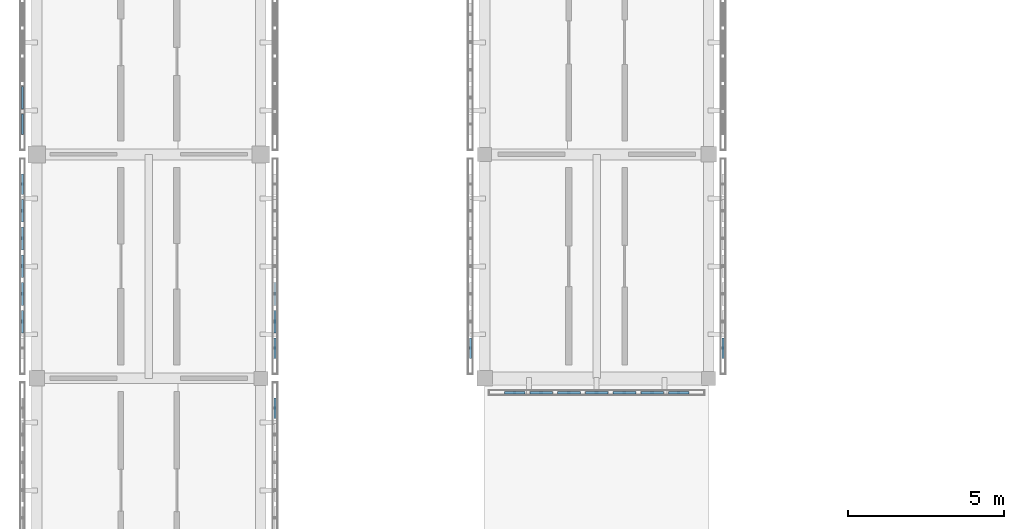
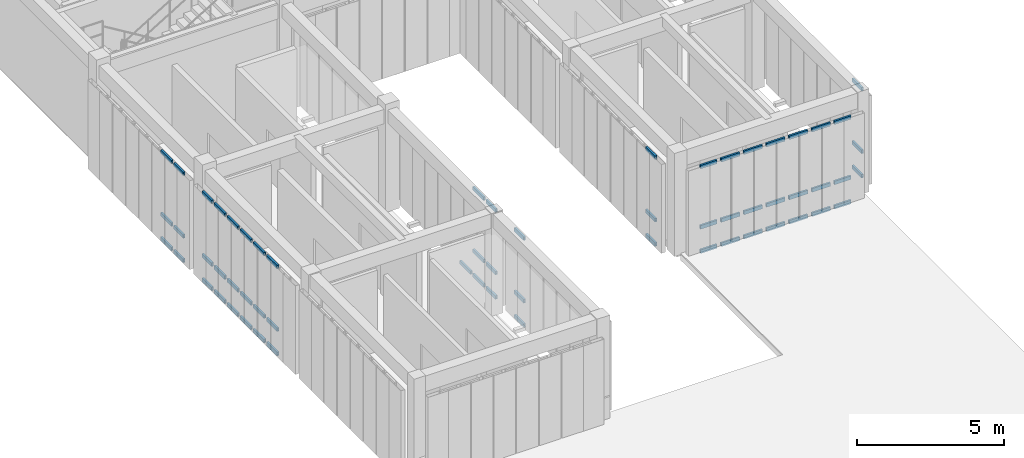
# One storey, part 17 of 91: 61 members, 7 elements without a shape of their own.
"""IFC4 building model written with IfcOpenShell, lengths in metres."""

from ifc_helpers import new_model, si_unit, direction, frame, origin, origin_2d, place, context, subcontext, project, spatial, hollow_rectangle, extrude, material, material_profile, profile_set, type_object, element, aggregate, save


model = new_model("IFC4")

# Units and contexts
model_context = context("Model", 3, precision=1e-05, world=origin(), true_north=direction((0.0, 1.0)))
body_context = subcontext(model_context, "Body", "Model", "MODEL_VIEW")
ifc_project = project(units=[si_unit("LENGTHUNIT", "METRE"), si_unit("AREAUNIT", "SQUARE_METRE"), si_unit("VOLUMEUNIT", "CUBIC_METRE"), si_unit("PLANEANGLEUNIT", "RADIAN"), si_unit("MASSUNIT", "GRAM", prefix="KILO")], contexts=[model_context])

# Site, building, storey
site_placement = place(None, origin())
site = spatial("IfcSite", under=ifc_project, at=site_placement, CompositionType="ELEMENT")
building_placement = place(site_placement, origin())
building = spatial("IfcBuilding", under=site, at=building_placement, Name="Aldebral Square Health Centre", CompositionType="ELEMENT")
storey_placement = place(building_placement, frame((0.0, 0.0, 9.0)))
storey = spatial("IfcBuildingStorey", under=building, at=storey_placement, Name="L02", CompositionType="ELEMENT", Elevation=9.0)

# Curtain wall, members
ifc_material_1 = material(Name="Aluminium and low-E solar glass", Category="aluminium")
curtain_wall_type = type_object("IfcCurtainWallType", Name="CW-FIN-SYS", PredefinedType="USERDEFINED", material=ifc_material_1)
curtain_wall_1_placement = place(storey_placement, origin())
curtain_wall_1 = element("IfcCurtainWall", 1, at=curtain_wall_1_placement, inside=storey, type_object=curtain_wall_type, Name="L02 V6 finned curtain wall L02-V6-00-01-E", ObjectType="SOLAR_CURTAIN_WALL", PredefinedType="USERDEFINED")
ifc_material_2 = material(Name="Anodised aluminium transom", Category="aluminium")
ifc_material_profile = material_profile(ifc_material_2, hollow_rectangle(XDim=0.074951171875, YDim=0.14990234375, WallThickness=0.00390625, at=origin_2d()), Name="CWT 75x150x4")
ifc_profile_set = profile_set([ifc_material_profile], Name="Anodised aluminium transom")
member_type = type_object("IfcMemberType", Name="CWT-STD", PredefinedType="USERDEFINED", material=ifc_profile_set)
member_1_placement = place(storey_placement, frame((7.659912109375, 13.108642578125, 0.03759765625), z_axis=(0.0, 1.0, 0.0), x_axis=(-1.0, 0.0, 0.0)))
member_1 = element("IfcMember", 2, at=member_1_placement, type_object=member_type, Name="CW1 transom 7.1", ObjectType="TRANSOM", PredefinedType="USERDEFINED", context=body_context, shape_type="SweptSolid", body=[
    extrude(hollow_rectangle(XDim=0.074951171875, YDim=0.14990234375, WallThickness=0.00390625, at=origin_2d()), origin(), (0.0, 0.0, 1.0), 0.6513671875),
])
member_2_placement = place(storey_placement, frame((7.659912109375, 13.108642578125, 1.050048828125), z_axis=(0.0, 1.0, 0.0), x_axis=(-1.0, 0.0, 0.0)))
member_2 = element("IfcMember", 3, at=member_2_placement, type_object=member_type, Name="CW1 transom 7.2", ObjectType="TRANSOM", PredefinedType="USERDEFINED", context=body_context, shape_type="SweptSolid", body=[
    extrude(hollow_rectangle(XDim=0.074951171875, YDim=0.14990234375, WallThickness=0.00390625, at=origin_2d()), origin(), (0.0, 0.0, 1.0), 0.6513671875),
])
member_3_placement = place(storey_placement, frame((7.659912109375, 13.108642578125, 3.652587890625), z_axis=(0.0, 1.0, 0.0), x_axis=(-1.0, 0.0, 0.0)))
member_3 = element("IfcMember", 4, at=member_3_placement, type_object=member_type, Name="CW1 transom 7.3", ObjectType="TRANSOM", PredefinedType="USERDEFINED", context=body_context, shape_type="SweptSolid", body=[
    extrude(hollow_rectangle(XDim=0.074951171875, YDim=0.14990234375, WallThickness=0.00390625, at=origin_2d()), origin(), (0.0, 0.0, 1.0), 0.6513671875),
])
aggregate(curtain_wall_1, [member_1, member_2, member_3])

curtain_wall_2_placement = place(storey_placement, origin())
curtain_wall_2 = element("IfcCurtainWall", 5, at=curtain_wall_2_placement, inside=storey, type_object=curtain_wall_type, Name="L02 V6 finned curtain wall L02-V6-00-02-W", ObjectType="SOLAR_CURTAIN_WALL", PredefinedType="USERDEFINED")
member_4_placement = place(storey_placement, frame((-0.4599609375, 20.9599609375, 0.03759765625), z_axis=(0.0, -1.0, 0.0), x_axis=(1.0, 0.0, 0.0)))
member_4 = element("IfcMember", 6, at=member_4_placement, type_object=member_type, Name="CW1 transom 1.1", ObjectType="TRANSOM", PredefinedType="USERDEFINED", context=body_context, shape_type="SweptSolid", body=[
    extrude(hollow_rectangle(XDim=0.074951171875, YDim=0.14990234375, WallThickness=0.00390625, at=origin_2d()), origin(), (0.0, 0.0, 1.0), 0.6513671875),
])
member_5_placement = place(storey_placement, frame((-0.4599609375, 20.9599609375, 1.050048828125), z_axis=(0.0, -1.0, 0.0), x_axis=(1.0, 0.0, 0.0)))
member_5 = element("IfcMember", 7, at=member_5_placement, type_object=member_type, Name="CW1 transom 1.2", ObjectType="TRANSOM", PredefinedType="USERDEFINED", context=body_context, shape_type="SweptSolid", body=[
    extrude(hollow_rectangle(XDim=0.074951171875, YDim=0.14990234375, WallThickness=0.00390625, at=origin_2d()), origin(), (0.0, 0.0, 1.0), 0.6513671875),
])
member_6_placement = place(storey_placement, frame((-0.4599609375, 20.9599609375, 3.652587890625), z_axis=(0.0, -1.0, 0.0), x_axis=(1.0, 0.0, 0.0)))
member_6 = element("IfcMember", 8, at=member_6_placement, type_object=member_type, Name="CW1 transom 1.3", ObjectType="TRANSOM", PredefinedType="USERDEFINED", context=body_context, shape_type="SweptSolid", body=[
    extrude(hollow_rectangle(XDim=0.074951171875, YDim=0.14990234375, WallThickness=0.00390625, at=origin_2d()), origin(), (0.0, 0.0, 1.0), 0.6513671875),
])
member_7_placement = place(storey_placement, frame((-0.4599609375, 20.148681640625, 0.03759765625), z_axis=(0.0, -1.0, 0.0), x_axis=(1.0, 0.0, 0.0)))
member_7 = element("IfcMember", 9, at=member_7_placement, type_object=member_type, Name="CW1 transom 2.1", ObjectType="TRANSOM", PredefinedType="USERDEFINED", context=body_context, shape_type="SweptSolid", body=[
    extrude(hollow_rectangle(XDim=0.074951171875, YDim=0.14990234375, WallThickness=0.00390625, at=origin_2d()), origin(), (0.0, 0.0, 1.0), 0.7314453125),
])
member_8_placement = place(storey_placement, frame((-0.4599609375, 20.148681640625, 1.050048828125), z_axis=(0.0, -1.0, 0.0), x_axis=(1.0, 0.0, 0.0)))
member_8 = element("IfcMember", 10, at=member_8_placement, type_object=member_type, Name="CW1 transom 2.2", ObjectType="TRANSOM", PredefinedType="USERDEFINED", context=body_context, shape_type="SweptSolid", body=[
    extrude(hollow_rectangle(XDim=0.074951171875, YDim=0.14990234375, WallThickness=0.00390625, at=origin_2d()), origin(), (0.0, 0.0, 1.0), 0.7314453125),
])
member_9_placement = place(storey_placement, frame((-0.4599609375, 20.148681640625, 3.652587890625), z_axis=(0.0, -1.0, 0.0), x_axis=(1.0, 0.0, 0.0)))
member_9 = element("IfcMember", 11, at=member_9_placement, type_object=member_type, Name="CW1 transom 2.3", ObjectType="TRANSOM", PredefinedType="USERDEFINED", context=body_context, shape_type="SweptSolid", body=[
    extrude(hollow_rectangle(XDim=0.074951171875, YDim=0.14990234375, WallThickness=0.00390625, at=origin_2d()), origin(), (0.0, 0.0, 1.0), 0.7314453125),
])
member_10_placement = place(storey_placement, frame((-0.4599609375, 19.257080078125, 0.03759765625), z_axis=(0.0, -1.0, 0.0), x_axis=(1.0, 0.0, 0.0)))
member_10 = element("IfcMember", 12, at=member_10_placement, type_object=member_type, Name="CW1 transom 3.1", ObjectType="TRANSOM", PredefinedType="USERDEFINED", context=body_context, shape_type="SweptSolid", body=[
    extrude(hollow_rectangle(XDim=0.074951171875, YDim=0.14990234375, WallThickness=0.00390625, at=origin_2d()), origin(), (0.0, 0.0, 1.0), 0.7314453125),
])
member_11_placement = place(storey_placement, frame((-0.4599609375, 19.257080078125, 1.050048828125), z_axis=(0.0, -1.0, 0.0), x_axis=(1.0, 0.0, 0.0)))
member_11 = element("IfcMember", 13, at=member_11_placement, type_object=member_type, Name="CW1 transom 3.2", ObjectType="TRANSOM", PredefinedType="USERDEFINED", context=body_context, shape_type="SweptSolid", body=[
    extrude(hollow_rectangle(XDim=0.074951171875, YDim=0.14990234375, WallThickness=0.00390625, at=origin_2d()), origin(), (0.0, 0.0, 1.0), 0.7314453125),
])
member_12_placement = place(storey_placement, frame((-0.4599609375, 19.257080078125, 3.652587890625), z_axis=(0.0, -1.0, 0.0), x_axis=(1.0, 0.0, 0.0)))
member_12 = element("IfcMember", 14, at=member_12_placement, type_object=member_type, Name="CW1 transom 3.3", ObjectType="TRANSOM", PredefinedType="USERDEFINED", context=body_context, shape_type="SweptSolid", body=[
    extrude(hollow_rectangle(XDim=0.074951171875, YDim=0.14990234375, WallThickness=0.00390625, at=origin_2d()), origin(), (0.0, 0.0, 1.0), 0.7314453125),
])
member_13_placement = place(storey_placement, frame((-0.4599609375, 18.36572265625, 0.03759765625), z_axis=(0.0, -1.0, 0.0), x_axis=(1.0, 0.0, 0.0)))
member_13 = element("IfcMember", 15, at=member_13_placement, type_object=member_type, Name="CW1 transom 4.1", ObjectType="TRANSOM", PredefinedType="USERDEFINED", context=body_context, shape_type="SweptSolid", body=[
    extrude(hollow_rectangle(XDim=0.074951171875, YDim=0.14990234375, WallThickness=0.00390625, at=origin_2d()), origin(), (0.0, 0.0, 1.0), 0.7314453125),
])
member_14_placement = place(storey_placement, frame((-0.4599609375, 18.36572265625, 1.050048828125), z_axis=(0.0, -1.0, 0.0), x_axis=(1.0, 0.0, 0.0)))
member_14 = element("IfcMember", 16, at=member_14_placement, type_object=member_type, Name="CW1 transom 4.2", ObjectType="TRANSOM", PredefinedType="USERDEFINED", context=body_context, shape_type="SweptSolid", body=[
    extrude(hollow_rectangle(XDim=0.074951171875, YDim=0.14990234375, WallThickness=0.00390625, at=origin_2d()), origin(), (0.0, 0.0, 1.0), 0.7314453125),
])
member_15_placement = place(storey_placement, frame((-0.4599609375, 18.36572265625, 3.652587890625), z_axis=(0.0, -1.0, 0.0), x_axis=(1.0, 0.0, 0.0)))
member_15 = element("IfcMember", 17, at=member_15_placement, type_object=member_type, Name="CW1 transom 4.3", ObjectType="TRANSOM", PredefinedType="USERDEFINED", context=body_context, shape_type="SweptSolid", body=[
    extrude(hollow_rectangle(XDim=0.074951171875, YDim=0.14990234375, WallThickness=0.00390625, at=origin_2d()), origin(), (0.0, 0.0, 1.0), 0.7314453125),
])
member_16_placement = place(storey_placement, frame((-0.4599609375, 17.474365234375, 0.03759765625), z_axis=(0.0, -1.0, 0.0), x_axis=(1.0, 0.0, 0.0)))
member_16 = element("IfcMember", 18, at=member_16_placement, type_object=member_type, Name="CW1 transom 5.1", ObjectType="TRANSOM", PredefinedType="USERDEFINED", context=body_context, shape_type="SweptSolid", body=[
    extrude(hollow_rectangle(XDim=0.074951171875, YDim=0.14990234375, WallThickness=0.00390625, at=origin_2d()), origin(), (0.0, 0.0, 1.0), 0.7314453125),
])
member_17_placement = place(storey_placement, frame((-0.4599609375, 17.474365234375, 1.050048828125), z_axis=(0.0, -1.0, 0.0), x_axis=(1.0, 0.0, 0.0)))
member_17 = element("IfcMember", 19, at=member_17_placement, type_object=member_type, Name="CW1 transom 5.2", ObjectType="TRANSOM", PredefinedType="USERDEFINED", context=body_context, shape_type="SweptSolid", body=[
    extrude(hollow_rectangle(XDim=0.074951171875, YDim=0.14990234375, WallThickness=0.00390625, at=origin_2d()), origin(), (0.0, 0.0, 1.0), 0.7314453125),
])
member_18_placement = place(storey_placement, frame((-0.4599609375, 17.474365234375, 3.652587890625), z_axis=(0.0, -1.0, 0.0), x_axis=(1.0, 0.0, 0.0)))
member_18 = element("IfcMember", 20, at=member_18_placement, type_object=member_type, Name="CW1 transom 5.3", ObjectType="TRANSOM", PredefinedType="USERDEFINED", context=body_context, shape_type="SweptSolid", body=[
    extrude(hollow_rectangle(XDim=0.074951171875, YDim=0.14990234375, WallThickness=0.00390625, at=origin_2d()), origin(), (0.0, 0.0, 1.0), 0.7314453125),
])
member_19_placement = place(storey_placement, frame((-0.4599609375, 16.582763671875, 0.03759765625), z_axis=(0.0, -1.0, 0.0), x_axis=(1.0, 0.0, 0.0)))
member_19 = element("IfcMember", 21, at=member_19_placement, type_object=member_type, Name="CW1 transom 6.1", ObjectType="TRANSOM", PredefinedType="USERDEFINED", context=body_context, shape_type="SweptSolid", body=[
    extrude(hollow_rectangle(XDim=0.074951171875, YDim=0.14990234375, WallThickness=0.00390625, at=origin_2d()), origin(), (0.0, 0.0, 1.0), 0.7314453125),
])
member_20_placement = place(storey_placement, frame((-0.4599609375, 16.582763671875, 1.050048828125), z_axis=(0.0, -1.0, 0.0), x_axis=(1.0, 0.0, 0.0)))
member_20 = element("IfcMember", 22, at=member_20_placement, type_object=member_type, Name="CW1 transom 6.2", ObjectType="TRANSOM", PredefinedType="USERDEFINED", context=body_context, shape_type="SweptSolid", body=[
    extrude(hollow_rectangle(XDim=0.074951171875, YDim=0.14990234375, WallThickness=0.00390625, at=origin_2d()), origin(), (0.0, 0.0, 1.0), 0.7314453125),
])
member_21_placement = place(storey_placement, frame((-0.4599609375, 16.582763671875, 3.652587890625), z_axis=(0.0, -1.0, 0.0), x_axis=(1.0, 0.0, 0.0)))
member_21 = element("IfcMember", 23, at=member_21_placement, type_object=member_type, Name="CW1 transom 6.3", ObjectType="TRANSOM", PredefinedType="USERDEFINED", context=body_context, shape_type="SweptSolid", body=[
    extrude(hollow_rectangle(XDim=0.074951171875, YDim=0.14990234375, WallThickness=0.00390625, at=origin_2d()), origin(), (0.0, 0.0, 1.0), 0.7314453125),
])
aggregate(curtain_wall_2, [member_4, member_5, member_6, member_7, member_8, member_9, member_10, member_11, member_12, member_13, member_14, member_15, member_16, member_17, member_18, member_19, member_20, member_21])

curtain_wall_3_placement = place(storey_placement, origin())
curtain_wall_3 = element("IfcCurtainWall", 24, at=curtain_wall_3_placement, inside=storey, type_object=curtain_wall_type, Name="L02 V6 finned curtain wall L02-V6-00-02-E", ObjectType="SOLAR_CURTAIN_WALL", PredefinedType="USERDEFINED")
member_22_placement = place(storey_placement, frame((7.659912109375, 15.0400390625, 0.03759765625), z_axis=(0.0, 1.0, 0.0), x_axis=(-1.0, 0.0, 0.0)))
member_22 = element("IfcMember", 25, at=member_22_placement, type_object=member_type, Name="CW1 transom 1.1", ObjectType="TRANSOM", PredefinedType="USERDEFINED", context=body_context, shape_type="SweptSolid", body=[
    extrude(hollow_rectangle(XDim=0.074951171875, YDim=0.14990234375, WallThickness=0.00390625, at=origin_2d()), origin(), (0.0, 0.0, 1.0), 0.6513671875),
])
member_23_placement = place(storey_placement, frame((7.659912109375, 15.0400390625, 1.050048828125), z_axis=(0.0, 1.0, 0.0), x_axis=(-1.0, 0.0, 0.0)))
member_23 = element("IfcMember", 26, at=member_23_placement, type_object=member_type, Name="CW1 transom 1.2", ObjectType="TRANSOM", PredefinedType="USERDEFINED", context=body_context, shape_type="SweptSolid", body=[
    extrude(hollow_rectangle(XDim=0.074951171875, YDim=0.14990234375, WallThickness=0.00390625, at=origin_2d()), origin(), (0.0, 0.0, 1.0), 0.6513671875),
])
member_24_placement = place(storey_placement, frame((7.659912109375, 15.0400390625, 3.652587890625), z_axis=(0.0, 1.0, 0.0), x_axis=(-1.0, 0.0, 0.0)))
member_24 = element("IfcMember", 27, at=member_24_placement, type_object=member_type, Name="CW1 transom 1.3", ObjectType="TRANSOM", PredefinedType="USERDEFINED", context=body_context, shape_type="SweptSolid", body=[
    extrude(hollow_rectangle(XDim=0.074951171875, YDim=0.14990234375, WallThickness=0.00390625, at=origin_2d()), origin(), (0.0, 0.0, 1.0), 0.6513671875),
])
member_25_placement = place(storey_placement, frame((7.659912109375, 15.851318359375, 0.03759765625), z_axis=(0.0, 1.0, 0.0), x_axis=(-1.0, 0.0, 0.0)))
member_25 = element("IfcMember", 28, at=member_25_placement, type_object=member_type, Name="CW1 transom 2.1", ObjectType="TRANSOM", PredefinedType="USERDEFINED", context=body_context, shape_type="SweptSolid", body=[
    extrude(hollow_rectangle(XDim=0.074951171875, YDim=0.14990234375, WallThickness=0.00390625, at=origin_2d()), origin(), (0.0, 0.0, 1.0), 0.7314453125),
])
member_26_placement = place(storey_placement, frame((7.659912109375, 15.851318359375, 1.050048828125), z_axis=(0.0, 1.0, 0.0), x_axis=(-1.0, 0.0, 0.0)))
member_26 = element("IfcMember", 29, at=member_26_placement, type_object=member_type, Name="CW1 transom 2.2", ObjectType="TRANSOM", PredefinedType="USERDEFINED", context=body_context, shape_type="SweptSolid", body=[
    extrude(hollow_rectangle(XDim=0.074951171875, YDim=0.14990234375, WallThickness=0.00390625, at=origin_2d()), origin(), (0.0, 0.0, 1.0), 0.7314453125),
])
member_27_placement = place(storey_placement, frame((7.659912109375, 15.851318359375, 3.652587890625), z_axis=(0.0, 1.0, 0.0), x_axis=(-1.0, 0.0, 0.0)))
member_27 = element("IfcMember", 30, at=member_27_placement, type_object=member_type, Name="CW1 transom 2.3", ObjectType="TRANSOM", PredefinedType="USERDEFINED", context=body_context, shape_type="SweptSolid", body=[
    extrude(hollow_rectangle(XDim=0.074951171875, YDim=0.14990234375, WallThickness=0.00390625, at=origin_2d()), origin(), (0.0, 0.0, 1.0), 0.7314453125),
])
member_28_placement = place(storey_placement, frame((7.659912109375, 16.742919921875, 0.03759765625), z_axis=(0.0, 1.0, 0.0), x_axis=(-1.0, 0.0, 0.0)))
member_28 = element("IfcMember", 31, at=member_28_placement, type_object=member_type, Name="CW1 transom 3.1", ObjectType="TRANSOM", PredefinedType="USERDEFINED", context=body_context, shape_type="SweptSolid", body=[
    extrude(hollow_rectangle(XDim=0.074951171875, YDim=0.14990234375, WallThickness=0.00390625, at=origin_2d()), origin(), (0.0, 0.0, 1.0), 0.7314453125),
])
aggregate(curtain_wall_3, [member_22, member_23, member_24, member_25, member_26, member_27, member_28])

curtain_wall_4_placement = place(storey_placement, origin())
curtain_wall_4 = element("IfcCurtainWall", 32, at=curtain_wall_4_placement, inside=storey, type_object=curtain_wall_type, Name="L02 V6 finned curtain wall L02-V6-00-03-W", ObjectType="SOLAR_CURTAIN_WALL", PredefinedType="USERDEFINED")
member_29_placement = place(storey_placement, frame((-0.4599609375, 23.782958984375, 0.03759765625), z_axis=(0.0, -1.0, 0.0), x_axis=(1.0, 0.0, 0.0)))
member_29 = element("IfcMember", 33, at=member_29_placement, type_object=member_type, Name="CW1 transom 6.1", ObjectType="TRANSOM", PredefinedType="USERDEFINED", context=body_context, shape_type="SweptSolid", body=[
    extrude(hollow_rectangle(XDim=0.074951171875, YDim=0.14990234375, WallThickness=0.00390625, at=origin_2d()), origin(), (0.0, 0.0, 1.0), 0.7314453125),
])
member_30_placement = place(storey_placement, frame((-0.4599609375, 23.782958984375, 1.050048828125), z_axis=(0.0, -1.0, 0.0), x_axis=(1.0, 0.0, 0.0)))
member_30 = element("IfcMember", 34, at=member_30_placement, type_object=member_type, Name="CW1 transom 6.2", ObjectType="TRANSOM", PredefinedType="USERDEFINED", context=body_context, shape_type="SweptSolid", body=[
    extrude(hollow_rectangle(XDim=0.074951171875, YDim=0.14990234375, WallThickness=0.00390625, at=origin_2d()), origin(), (0.0, 0.0, 1.0), 0.7314453125),
])
member_31_placement = place(storey_placement, frame((-0.4599609375, 23.782958984375, 3.652587890625), z_axis=(0.0, -1.0, 0.0), x_axis=(1.0, 0.0, 0.0)))
member_31 = element("IfcMember", 35, at=member_31_placement, type_object=member_type, Name="CW1 transom 6.3", ObjectType="TRANSOM", PredefinedType="USERDEFINED", context=body_context, shape_type="SweptSolid", body=[
    extrude(hollow_rectangle(XDim=0.074951171875, YDim=0.14990234375, WallThickness=0.00390625, at=origin_2d()), origin(), (0.0, 0.0, 1.0), 0.7314453125),
])
member_32_placement = place(storey_placement, frame((-0.4599609375, 22.891357421875, 0.03759765625), z_axis=(0.0, -1.0, 0.0), x_axis=(1.0, 0.0, 0.0)))
member_32 = element("IfcMember", 36, at=member_32_placement, type_object=member_type, Name="CW1 transom 7.1", ObjectType="TRANSOM", PredefinedType="USERDEFINED", context=body_context, shape_type="SweptSolid", body=[
    extrude(hollow_rectangle(XDim=0.074951171875, YDim=0.14990234375, WallThickness=0.00390625, at=origin_2d()), origin(), (0.0, 0.0, 1.0), 0.6513671875),
])
member_33_placement = place(storey_placement, frame((-0.4599609375, 22.891357421875, 1.050048828125), z_axis=(0.0, -1.0, 0.0), x_axis=(1.0, 0.0, 0.0)))
member_33 = element("IfcMember", 37, at=member_33_placement, type_object=member_type, Name="CW1 transom 7.2", ObjectType="TRANSOM", PredefinedType="USERDEFINED", context=body_context, shape_type="SweptSolid", body=[
    extrude(hollow_rectangle(XDim=0.074951171875, YDim=0.14990234375, WallThickness=0.00390625, at=origin_2d()), origin(), (0.0, 0.0, 1.0), 0.6513671875),
])
member_34_placement = place(storey_placement, frame((-0.4599609375, 22.891357421875, 3.652587890625), z_axis=(0.0, -1.0, 0.0), x_axis=(1.0, 0.0, 0.0)))
member_34 = element("IfcMember", 38, at=member_34_placement, type_object=member_type, Name="CW1 transom 7.3", ObjectType="TRANSOM", PredefinedType="USERDEFINED", context=body_context, shape_type="SweptSolid", body=[
    extrude(hollow_rectangle(XDim=0.074951171875, YDim=0.14990234375, WallThickness=0.00390625, at=origin_2d()), origin(), (0.0, 0.0, 1.0), 0.6513671875),
])
aggregate(curtain_wall_4, [member_29, member_30, member_31, member_32, member_33, member_34])

curtain_wall_5_placement = place(storey_placement, origin())
curtain_wall_5 = element("IfcCurtainWall", 39, at=curtain_wall_5_placement, inside=storey, type_object=curtain_wall_type, Name="L02 V6 finned curtain wall L02-V6-02-02-S", ObjectType="SOLAR_CURTAIN_WALL", PredefinedType="USERDEFINED")
member_35_placement = place(storey_placement, frame((15.0400390625, 13.93994140625, 0.03759765625), z_axis=(1.0, 0.0, 0.0), x_axis=(0.0, 1.0, 0.0)))
member_35 = element("IfcMember", 40, at=member_35_placement, type_object=member_type, Name="CW1 transom 1.1", ObjectType="TRANSOM", PredefinedType="USERDEFINED", context=body_context, shape_type="SweptSolid", body=[
    extrude(hollow_rectangle(XDim=0.074951171875, YDim=0.14990234375, WallThickness=0.00390625, at=origin_2d()), origin(), (0.0, 0.0, 1.0), 0.6513671875),
])
member_36_placement = place(storey_placement, frame((15.0400390625, 13.93994140625, 1.050048828125), z_axis=(1.0, 0.0, 0.0), x_axis=(0.0, 1.0, 0.0)))
member_36 = element("IfcMember", 41, at=member_36_placement, type_object=member_type, Name="CW1 transom 1.2", ObjectType="TRANSOM", PredefinedType="USERDEFINED", context=body_context, shape_type="SweptSolid", body=[
    extrude(hollow_rectangle(XDim=0.074951171875, YDim=0.14990234375, WallThickness=0.00390625, at=origin_2d()), origin(), (0.0, 0.0, 1.0), 0.6513671875),
])
member_37_placement = place(storey_placement, frame((15.0400390625, 13.93994140625, 3.552490234375), z_axis=(1.0, 0.0, 0.0), x_axis=(0.0, 1.0, 0.0)))
member_37 = element("IfcMember", 42, at=member_37_placement, type_object=member_type, Name="CW1 transom 1.3", ObjectType="TRANSOM", PredefinedType="USERDEFINED", context=body_context, shape_type="SweptSolid", body=[
    extrude(hollow_rectangle(XDim=0.074951171875, YDim=0.14990234375, WallThickness=0.00390625, at=origin_2d()), origin(), (0.0, 0.0, 1.0), 0.6513671875),
])
member_38_placement = place(storey_placement, frame((15.851318359375, 13.93994140625, 0.03759765625), z_axis=(1.0, 0.0, 0.0), x_axis=(0.0, 1.0, 0.0)))
member_38 = element("IfcMember", 43, at=member_38_placement, type_object=member_type, Name="CW1 transom 2.1", ObjectType="TRANSOM", PredefinedType="USERDEFINED", context=body_context, shape_type="SweptSolid", body=[
    extrude(hollow_rectangle(XDim=0.074951171875, YDim=0.14990234375, WallThickness=0.00390625, at=origin_2d()), origin(), (0.0, 0.0, 1.0), 0.7314453125),
])
member_39_placement = place(storey_placement, frame((15.851318359375, 13.93994140625, 1.050048828125), z_axis=(1.0, 0.0, 0.0), x_axis=(0.0, 1.0, 0.0)))
member_39 = element("IfcMember", 44, at=member_39_placement, type_object=member_type, Name="CW1 transom 2.2", ObjectType="TRANSOM", PredefinedType="USERDEFINED", context=body_context, shape_type="SweptSolid", body=[
    extrude(hollow_rectangle(XDim=0.074951171875, YDim=0.14990234375, WallThickness=0.00390625, at=origin_2d()), origin(), (0.0, 0.0, 1.0), 0.7314453125),
])
member_40_placement = place(storey_placement, frame((15.851318359375, 13.93994140625, 3.552490234375), z_axis=(1.0, 0.0, 0.0), x_axis=(0.0, 1.0, 0.0)))
member_40 = element("IfcMember", 45, at=member_40_placement, type_object=member_type, Name="CW1 transom 2.3", ObjectType="TRANSOM", PredefinedType="USERDEFINED", context=body_context, shape_type="SweptSolid", body=[
    extrude(hollow_rectangle(XDim=0.074951171875, YDim=0.14990234375, WallThickness=0.00390625, at=origin_2d()), origin(), (0.0, 0.0, 1.0), 0.7314453125),
])
member_41_placement = place(storey_placement, frame((16.742919921875, 13.93994140625, 0.03759765625), z_axis=(1.0, 0.0, 0.0), x_axis=(0.0, 1.0, 0.0)))
member_41 = element("IfcMember", 46, at=member_41_placement, type_object=member_type, Name="CW1 transom 3.1", ObjectType="TRANSOM", PredefinedType="USERDEFINED", context=body_context, shape_type="SweptSolid", body=[
    extrude(hollow_rectangle(XDim=0.074951171875, YDim=0.14990234375, WallThickness=0.00390625, at=origin_2d()), origin(), (0.0, 0.0, 1.0), 0.7314453125),
])
member_42_placement = place(storey_placement, frame((16.742919921875, 13.93994140625, 1.050048828125), z_axis=(1.0, 0.0, 0.0), x_axis=(0.0, 1.0, 0.0)))
member_42 = element("IfcMember", 47, at=member_42_placement, type_object=member_type, Name="CW1 transom 3.2", ObjectType="TRANSOM", PredefinedType="USERDEFINED", context=body_context, shape_type="SweptSolid", body=[
    extrude(hollow_rectangle(XDim=0.074951171875, YDim=0.14990234375, WallThickness=0.00390625, at=origin_2d()), origin(), (0.0, 0.0, 1.0), 0.7314453125),
])
member_43_placement = place(storey_placement, frame((16.742919921875, 13.93994140625, 3.552490234375), z_axis=(1.0, 0.0, 0.0), x_axis=(0.0, 1.0, 0.0)))
member_43 = element("IfcMember", 48, at=member_43_placement, type_object=member_type, Name="CW1 transom 3.3", ObjectType="TRANSOM", PredefinedType="USERDEFINED", context=body_context, shape_type="SweptSolid", body=[
    extrude(hollow_rectangle(XDim=0.074951171875, YDim=0.14990234375, WallThickness=0.00390625, at=origin_2d()), origin(), (0.0, 0.0, 1.0), 0.7314453125),
])
member_44_placement = place(storey_placement, frame((17.63427734375, 13.93994140625, 0.03759765625), z_axis=(1.0, 0.0, 0.0), x_axis=(0.0, 1.0, 0.0)))
member_44 = element("IfcMember", 49, at=member_44_placement, type_object=member_type, Name="CW1 transom 4.1", ObjectType="TRANSOM", PredefinedType="USERDEFINED", context=body_context, shape_type="SweptSolid", body=[
    extrude(hollow_rectangle(XDim=0.074951171875, YDim=0.14990234375, WallThickness=0.00390625, at=origin_2d()), origin(), (0.0, 0.0, 1.0), 0.7314453125),
])
member_45_placement = place(storey_placement, frame((17.63427734375, 13.93994140625, 1.050048828125), z_axis=(1.0, 0.0, 0.0), x_axis=(0.0, 1.0, 0.0)))
member_45 = element("IfcMember", 50, at=member_45_placement, type_object=member_type, Name="CW1 transom 4.2", ObjectType="TRANSOM", PredefinedType="USERDEFINED", context=body_context, shape_type="SweptSolid", body=[
    extrude(hollow_rectangle(XDim=0.074951171875, YDim=0.14990234375, WallThickness=0.00390625, at=origin_2d()), origin(), (0.0, 0.0, 1.0), 0.7314453125),
])
member_46_placement = place(storey_placement, frame((17.63427734375, 13.93994140625, 3.552490234375), z_axis=(1.0, 0.0, 0.0), x_axis=(0.0, 1.0, 0.0)))
member_46 = element("IfcMember", 51, at=member_46_placement, type_object=member_type, Name="CW1 transom 4.3", ObjectType="TRANSOM", PredefinedType="USERDEFINED", context=body_context, shape_type="SweptSolid", body=[
    extrude(hollow_rectangle(XDim=0.074951171875, YDim=0.14990234375, WallThickness=0.00390625, at=origin_2d()), origin(), (0.0, 0.0, 1.0), 0.7314453125),
])
member_47_placement = place(storey_placement, frame((18.525634765625, 13.93994140625, 0.03759765625), z_axis=(1.0, 0.0, 0.0), x_axis=(0.0, 1.0, 0.0)))
member_47 = element("IfcMember", 52, at=member_47_placement, type_object=member_type, Name="CW1 transom 5.1", ObjectType="TRANSOM", PredefinedType="USERDEFINED", context=body_context, shape_type="SweptSolid", body=[
    extrude(hollow_rectangle(XDim=0.074951171875, YDim=0.14990234375, WallThickness=0.00390625, at=origin_2d()), origin(), (0.0, 0.0, 1.0), 0.7314453125),
])
member_48_placement = place(storey_placement, frame((18.525634765625, 13.93994140625, 1.050048828125), z_axis=(1.0, 0.0, 0.0), x_axis=(0.0, 1.0, 0.0)))
member_48 = element("IfcMember", 53, at=member_48_placement, type_object=member_type, Name="CW1 transom 5.2", ObjectType="TRANSOM", PredefinedType="USERDEFINED", context=body_context, shape_type="SweptSolid", body=[
    extrude(hollow_rectangle(XDim=0.074951171875, YDim=0.14990234375, WallThickness=0.00390625, at=origin_2d()), origin(), (0.0, 0.0, 1.0), 0.7314453125),
])
member_49_placement = place(storey_placement, frame((18.525634765625, 13.93994140625, 3.552490234375), z_axis=(1.0, 0.0, 0.0), x_axis=(0.0, 1.0, 0.0)))
member_49 = element("IfcMember", 54, at=member_49_placement, type_object=member_type, Name="CW1 transom 5.3", ObjectType="TRANSOM", PredefinedType="USERDEFINED", context=body_context, shape_type="SweptSolid", body=[
    extrude(hollow_rectangle(XDim=0.074951171875, YDim=0.14990234375, WallThickness=0.00390625, at=origin_2d()), origin(), (0.0, 0.0, 1.0), 0.7314453125),
])
member_50_placement = place(storey_placement, frame((19.417236328125, 13.93994140625, 0.03759765625), z_axis=(1.0, 0.0, 0.0), x_axis=(0.0, 1.0, 0.0)))
member_50 = element("IfcMember", 55, at=member_50_placement, type_object=member_type, Name="CW1 transom 6.1", ObjectType="TRANSOM", PredefinedType="USERDEFINED", context=body_context, shape_type="SweptSolid", body=[
    extrude(hollow_rectangle(XDim=0.074951171875, YDim=0.14990234375, WallThickness=0.00390625, at=origin_2d()), origin(), (0.0, 0.0, 1.0), 0.7314453125),
])
member_51_placement = place(storey_placement, frame((19.417236328125, 13.93994140625, 1.050048828125), z_axis=(1.0, 0.0, 0.0), x_axis=(0.0, 1.0, 0.0)))
member_51 = element("IfcMember", 56, at=member_51_placement, type_object=member_type, Name="CW1 transom 6.2", ObjectType="TRANSOM", PredefinedType="USERDEFINED", context=body_context, shape_type="SweptSolid", body=[
    extrude(hollow_rectangle(XDim=0.074951171875, YDim=0.14990234375, WallThickness=0.00390625, at=origin_2d()), origin(), (0.0, 0.0, 1.0), 0.7314453125),
])
member_52_placement = place(storey_placement, frame((19.417236328125, 13.93994140625, 3.552490234375), z_axis=(1.0, 0.0, 0.0), x_axis=(0.0, 1.0, 0.0)))
member_52 = element("IfcMember", 57, at=member_52_placement, type_object=member_type, Name="CW1 transom 6.3", ObjectType="TRANSOM", PredefinedType="USERDEFINED", context=body_context, shape_type="SweptSolid", body=[
    extrude(hollow_rectangle(XDim=0.074951171875, YDim=0.14990234375, WallThickness=0.00390625, at=origin_2d()), origin(), (0.0, 0.0, 1.0), 0.7314453125),
])
member_53_placement = place(storey_placement, frame((20.30859375, 13.93994140625, 0.03759765625), z_axis=(1.0, 0.0, 0.0), x_axis=(0.0, 1.0, 0.0)))
member_53 = element("IfcMember", 58, at=member_53_placement, type_object=member_type, Name="CW1 transom 7.1", ObjectType="TRANSOM", PredefinedType="USERDEFINED", context=body_context, shape_type="SweptSolid", body=[
    extrude(hollow_rectangle(XDim=0.074951171875, YDim=0.14990234375, WallThickness=0.00390625, at=origin_2d()), origin(), (0.0, 0.0, 1.0), 0.6513671875),
])
member_54_placement = place(storey_placement, frame((20.30859375, 13.93994140625, 1.050048828125), z_axis=(1.0, 0.0, 0.0), x_axis=(0.0, 1.0, 0.0)))
member_54 = element("IfcMember", 59, at=member_54_placement, type_object=member_type, Name="CW1 transom 7.2", ObjectType="TRANSOM", PredefinedType="USERDEFINED", context=body_context, shape_type="SweptSolid", body=[
    extrude(hollow_rectangle(XDim=0.074951171875, YDim=0.14990234375, WallThickness=0.00390625, at=origin_2d()), origin(), (0.0, 0.0, 1.0), 0.6513671875),
])
member_55_placement = place(storey_placement, frame((20.30859375, 13.93994140625, 3.552490234375), z_axis=(1.0, 0.0, 0.0), x_axis=(0.0, 1.0, 0.0)))
member_55 = element("IfcMember", 60, at=member_55_placement, type_object=member_type, Name="CW1 transom 7.3", ObjectType="TRANSOM", PredefinedType="USERDEFINED", context=body_context, shape_type="SweptSolid", body=[
    extrude(hollow_rectangle(XDim=0.074951171875, YDim=0.14990234375, WallThickness=0.00390625, at=origin_2d()), origin(), (0.0, 0.0, 1.0), 0.6513671875),
])
aggregate(curtain_wall_5, [member_35, member_36, member_37, member_38, member_39, member_40, member_41, member_42, member_43, member_44, member_45, member_46, member_47, member_48, member_49, member_50, member_51, member_52, member_53, member_54, member_55])

curtain_wall_6_placement = place(storey_placement, origin())
curtain_wall_6 = element("IfcCurtainWall", 61, at=curtain_wall_6_placement, inside=storey, type_object=curtain_wall_type, Name="L02 V6 finned curtain wall L02-V6-02-02-W", ObjectType="SOLAR_CURTAIN_WALL", PredefinedType="USERDEFINED")
member_56_placement = place(storey_placement, frame((13.93994140625, 15.69140625, 0.03759765625), z_axis=(0.0, -1.0, 0.0), x_axis=(1.0, 0.0, 0.0)))
member_56 = element("IfcMember", 62, at=member_56_placement, type_object=member_type, Name="CW1 transom 7.1", ObjectType="TRANSOM", PredefinedType="USERDEFINED", context=body_context, shape_type="SweptSolid", body=[
    extrude(hollow_rectangle(XDim=0.074951171875, YDim=0.14990234375, WallThickness=0.00390625, at=origin_2d()), origin(), (0.0, 0.0, 1.0), 0.6513671875),
])
member_57_placement = place(storey_placement, frame((13.93994140625, 15.69140625, 1.050048828125), z_axis=(0.0, -1.0, 0.0), x_axis=(1.0, 0.0, 0.0)))
member_57 = element("IfcMember", 63, at=member_57_placement, type_object=member_type, Name="CW1 transom 7.2", ObjectType="TRANSOM", PredefinedType="USERDEFINED", context=body_context, shape_type="SweptSolid", body=[
    extrude(hollow_rectangle(XDim=0.074951171875, YDim=0.14990234375, WallThickness=0.00390625, at=origin_2d()), origin(), (0.0, 0.0, 1.0), 0.6513671875),
])
member_58_placement = place(storey_placement, frame((13.93994140625, 15.69140625, 3.652587890625), z_axis=(0.0, -1.0, 0.0), x_axis=(1.0, 0.0, 0.0)))
member_58 = element("IfcMember", 64, at=member_58_placement, type_object=member_type, Name="CW1 transom 7.3", ObjectType="TRANSOM", PredefinedType="USERDEFINED", context=body_context, shape_type="SweptSolid", body=[
    extrude(hollow_rectangle(XDim=0.074951171875, YDim=0.14990234375, WallThickness=0.00390625, at=origin_2d()), origin(), (0.0, 0.0, 1.0), 0.6513671875),
])
aggregate(curtain_wall_6, [member_56, member_57, member_58])

curtain_wall_7_placement = place(storey_placement, origin())
curtain_wall_7 = element("IfcCurtainWall", 65, at=curtain_wall_7_placement, inside=storey, type_object=curtain_wall_type, Name="L02 V6 finned curtain wall L02-V6-02-02-E", ObjectType="SOLAR_CURTAIN_WALL", PredefinedType="USERDEFINED")
member_59_placement = place(storey_placement, frame((22.06005859375, 15.0400390625, 0.03759765625), z_axis=(0.0, 1.0, 0.0), x_axis=(-1.0, 0.0, 0.0)))
member_59 = element("IfcMember", 66, at=member_59_placement, type_object=member_type, Name="CW1 transom 1.1", ObjectType="TRANSOM", PredefinedType="USERDEFINED", context=body_context, shape_type="SweptSolid", body=[
    extrude(hollow_rectangle(XDim=0.074951171875, YDim=0.14990234375, WallThickness=0.00390625, at=origin_2d()), origin(), (0.0, 0.0, 1.0), 0.6513671875),
])
member_60_placement = place(storey_placement, frame((22.06005859375, 15.0400390625, 1.050048828125), z_axis=(0.0, 1.0, 0.0), x_axis=(-1.0, 0.0, 0.0)))
member_60 = element("IfcMember", 67, at=member_60_placement, type_object=member_type, Name="CW1 transom 1.2", ObjectType="TRANSOM", PredefinedType="USERDEFINED", context=body_context, shape_type="SweptSolid", body=[
    extrude(hollow_rectangle(XDim=0.074951171875, YDim=0.14990234375, WallThickness=0.00390625, at=origin_2d()), origin(), (0.0, 0.0, 1.0), 0.6513671875),
])
member_61_placement = place(storey_placement, frame((22.06005859375, 15.0400390625, 3.652587890625), z_axis=(0.0, 1.0, 0.0), x_axis=(-1.0, 0.0, 0.0)))
member_61 = element("IfcMember", 68, at=member_61_placement, type_object=member_type, Name="CW1 transom 1.3", ObjectType="TRANSOM", PredefinedType="USERDEFINED", context=body_context, shape_type="SweptSolid", body=[
    extrude(hollow_rectangle(XDim=0.074951171875, YDim=0.14990234375, WallThickness=0.00390625, at=origin_2d()), origin(), (0.0, 0.0, 1.0), 0.6513671875),
])
aggregate(curtain_wall_7, [member_59, member_60, member_61])

save(model, "model.ifc")
